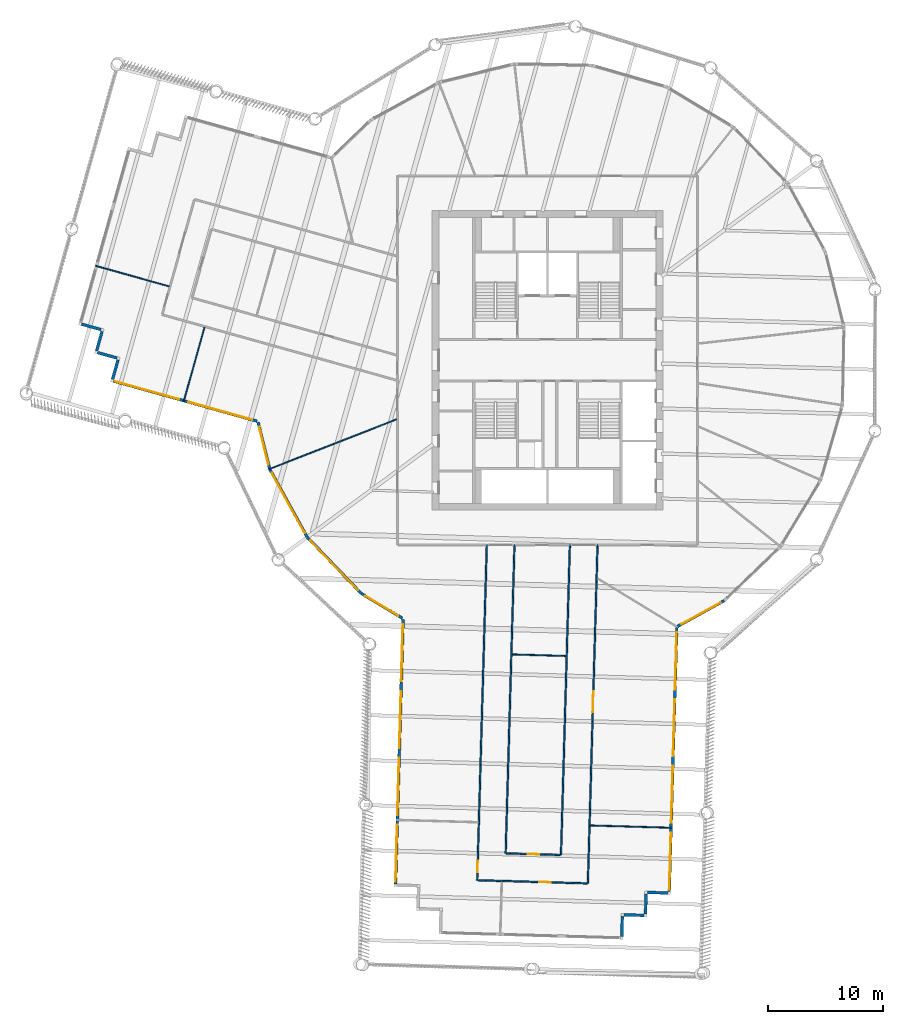
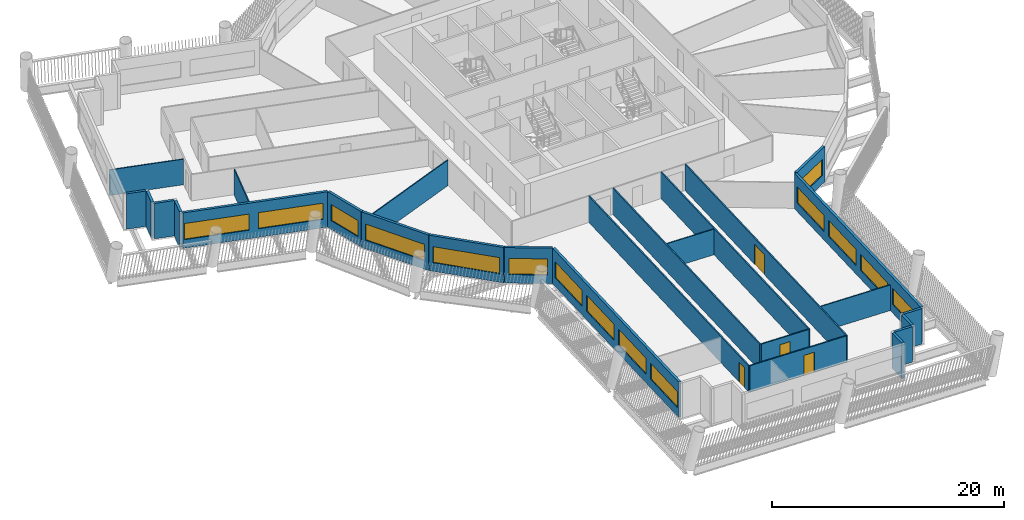
# One storey, part 3 of 15: 27 walls, 15 windows, 4 doors, 19 openings.
"""IFC4 building model written with IfcOpenShell, lengths in metres."""

from ifc_helpers import new_model, si_unit, direction, frame, frame_2d, origin, place, context, subcontext, project, spatial, rectangle, extrude, material, layer, layer_set, type_object, element, fill, save


model = new_model("IFC4")

# Units and contexts
model_context = context("Model", 3, precision=1e-05, world=origin(), true_north=direction((0.0, 1.0)))
body_context = subcontext(model_context, "Body", "Model", "MODEL_VIEW")
ifc_project = project(units=[si_unit("LENGTHUNIT", "METRE"), si_unit("AREAUNIT", "SQUARE_METRE"), si_unit("VOLUMEUNIT", "CUBIC_METRE"), si_unit("PLANEANGLEUNIT", "RADIAN"), si_unit("MASSUNIT", "GRAM", prefix="KILO")], contexts=[model_context])

# Site, building, storey
site_placement = place(None, origin())
site = spatial("IfcSite", under=ifc_project, at=site_placement, CompositionType="ELEMENT")
building_placement = place(site_placement, origin())
building = spatial("IfcBuilding", under=site, at=building_placement, Name="Tarsis Ring Headquarters", CompositionType="ELEMENT")
storey_placement = place(building_placement, frame((0.0, 0.0, 219.89990234375)))
storey = spatial("IfcBuildingStorey", under=building, at=storey_placement, Name="L51", CompositionType="ELEMENT", Elevation=219.89990234375)

# Walls
ifc_material_1 = material(Name="Gypsum board on steel studs", Category="steel")
ifc_layer_1 = layer(ifc_material_1, 0.10009765625)
ifc_layer_set_1 = layer_set([ifc_layer_1], Name="FL partition 100 unrated")
wall_type_1 = type_object("IfcWallType", Name="FL partition 100 unrated", PredefinedType="PARTITIONING", material=ifc_layer_set_1)
wall_1_placement = place(storey_placement, frame((-24.165283203125, -9.450927734375, 0.0), z_axis=(0.0, 0.0, 1.0), x_axis=(0.931303866641, 0.364243198948, 0.0)))
element("IfcWall", 1, at=wall_1_placement, inside=storey, type_object=wall_type_1, Name="Partition PW3", PredefinedType="PARTITIONING", context=body_context, shape_type="SweptSolid", body=[
    extrude(rectangle(XDim=11.90869140625, YDim=0.10009765625, at=frame_2d((5.954345703125, 0.0))), origin(), (0.0, 0.0, 1.0), 2.7001953125),
])
wall_2_placement = place(storey_placement, frame((3.71728515625, -40.3330078125, 0.0), z_axis=(0.0, 0.0, 1.0), x_axis=(0.999591298515, -0.028587338685, 0.0)))
element("IfcWall", 2, at=wall_2_placement, inside=storey, type_object=wall_type_1, Name="Partition PW3", PredefinedType="PARTITIONING", context=body_context, shape_type="SweptSolid", body=[
    extrude(rectangle(XDim=7.079833984375, YDim=0.10009765625, at=frame_2d((3.5400390625, 0.0))), origin(), (0.0, 0.0, 1.0), 2.7001953125),
])
wall_3_placement = place(storey_placement, frame((-31.542724609375, -3.578857421875, 0.0), z_axis=(0.0, 0.0, 1.0), x_axis=(0.269608268047, 0.962970083544, 0.0)))
element("IfcWall", 3, at=wall_3_placement, inside=storey, type_object=wall_type_1, Name="Partition PW3", PredefinedType="PARTITIONING", context=body_context, shape_type="SweptSolid", body=[
    extrude(rectangle(XDim=6.690185546875, YDim=0.10009765625, at=frame_2d((3.34521484375, 0.0))), origin(), (0.0, 0.0, 1.0), 2.7001953125),
])
wall_4_placement = place(storey_placement, frame((-39.190673828125, 8.19921875, 0.0), z_axis=(0.0, 0.0, 1.0), x_axis=(0.962968601832, -0.269613560278, 0.0)))
element("IfcWall", 4, at=wall_4_placement, inside=storey, type_object=wall_type_1, Name="Partition PW3", PredefinedType="PARTITIONING", context=body_context, shape_type="SweptSolid", body=[
    extrude(rectangle(XDim=6.64013671875, YDim=0.10009765625, at=frame_2d((3.320068359375, 0.0))), origin(), (0.0, 0.0, 1.0), 2.7001953125),
])
wall_5_placement = place(storey_placement, frame((-3.06103515625, -25.502685546875, 0.0), z_axis=(0.0, 0.0, 1.0), x_axis=(0.99958926113, -0.028658489745, 0.0)))
element("IfcWall", 5, at=wall_5_placement, inside=storey, type_object=wall_type_1, Name="Partition PW3", PredefinedType="PARTITIONING", context=body_context, shape_type="SweptSolid", body=[
    extrude(rectangle(XDim=4.659912109375, YDim=0.10009765625, at=frame_2d((2.330078125, 0.0))), origin(), (0.0, 0.0, 1.0), 2.7001953125),
])

# Wall, opening, door
ifc_layer_2 = layer(ifc_material_1, 0.125)
ifc_layer_set_2 = layer_set([ifc_layer_2], Name="FL partition 125 EI 60 H2770")
wall_type_2 = type_object("IfcWallType", Name="FL partition 125 EI 60 H2770", PredefinedType="PARTITIONING", material=ifc_layer_set_2)
wall_6_placement = place(storey_placement, frame((3.50341796875, -45.35888671875, 0.0), z_axis=(0.0, 0.0, 1.0), x_axis=(0.028619336474, 0.999590382897, 0.0)))
wall_6 = element("IfcWall", 6, at=wall_6_placement, inside=storey, type_object=wall_type_2, Name="Partition PW1", PredefinedType="PARTITIONING", context=body_context, shape_type="SweptSolid", body=[
    extrude(rectangle(XDim=29.370849609375, YDim=0.125, at=frame_2d((14.685546875, 0.0))), origin(), (0.0, 0.0, 1.0), 2.77001953125),
])
opening_1_placement = place(wall_6_placement, frame((14.8671875, 0.0, 0.0)))
opening_1 = element("IfcOpeningElement", 7, at=opening_1_placement, cuts=wall_6, Name="Opening D51.11", PredefinedType="OPENING", context=body_context, shape_type="SweptSolid", body=[
    extrude(rectangle(XDim=1.800048828125, YDim=2.10009765625, at=frame_2d((0.89990234375, 1.050048828125))), frame((0.0, 0.072509765625, 0.0), z_axis=(0.0, -1.0, 0.0), x_axis=(1.0, 0.0, 0.0)), (0.0, 0.0, 1.0), 0.14501953125),
])
ifc_material_2 = material(Name="Fire-rated timber door leaf in steel frame", Category="steel")
door_type_1 = type_object("IfcDoorType", Name="FL door FD60-1800", OperationType="DOUBLE_DOOR_SINGLE_SWING", PredefinedType="DOOR", material=ifc_material_2)
door_1_placement = place(opening_1_placement, origin())
door_1 = element("IfcDoor", 8, at=door_1_placement, inside=storey, type_object=door_type_1, Name="Door D51.11", OperationType="DOUBLE_DOOR_SINGLE_SWING", OverallHeight=2.10009765625, OverallWidth=1.800048828125, PredefinedType="DOOR", context=body_context, shape_type="SweptSolid", body=[
    extrude(rectangle(XDim=1.800048828125, YDim=2.10009765625, at=frame_2d((0.89990234375, 1.050048828125))), frame((0.0, 0.02490234375, 0.0), z_axis=(0.0, -1.0, 0.0), x_axis=(1.0, 0.0, 0.0)), (0.0, 0.0, 1.0), 0.050048828125),
])
fill(opening_1, door_1)

wall_7_placement = place(storey_placement, frame((-6.0927734375, -45.083984375, 0.0), z_axis=(0.0, 0.0, 1.0), x_axis=(0.028621336719, 0.999590325626, 0.0)))
wall_7 = element("IfcWall", 9, at=wall_7_placement, inside=storey, type_object=wall_type_2, Name="Partition PW1", PredefinedType="PARTITIONING", context=body_context, shape_type="SweptSolid", body=[
    extrude(rectangle(XDim=29.095947265625, YDim=0.125, at=frame_2d((14.5478515625, 0.0))), origin(), (0.0, 0.0, 1.0), 2.77001953125),
])
opening_2_placement = place(wall_7_placement, frame((0.699951171875, 0.0, 0.0)))
opening_2 = element("IfcOpeningElement", 10, at=opening_2_placement, cuts=wall_7, Name="Opening D51.13", PredefinedType="OPENING", context=body_context, shape_type="SweptSolid", body=[
    extrude(rectangle(XDim=1.0, YDim=2.10009765625, at=frame_2d((0.5, 1.050048828125))), frame((0.0, 0.072509765625, 0.0), z_axis=(0.0, -1.0, 0.0), x_axis=(1.0, 0.0, 0.0)), (0.0, 0.0, 1.0), 0.14501953125),
])
door_type_2 = type_object("IfcDoorType", Name="FL door FD60-1000", OperationType="NOTDEFINED", PredefinedType="DOOR", material=ifc_material_2)
door_2_placement = place(opening_2_placement, origin())
door_2 = element("IfcDoor", 11, at=door_2_placement, inside=storey, type_object=door_type_2, Name="Door D51.13", OperationType="SINGLE_SWING_RIGHT", OverallHeight=2.10009765625, OverallWidth=1.0, PredefinedType="DOOR", context=body_context, shape_type="SweptSolid", body=[
    extrude(rectangle(XDim=1.0, YDim=2.10009765625, at=frame_2d((0.5, 1.050048828125))), frame((0.0, 0.02490234375, 0.0), z_axis=(0.0, -1.0, 0.0), x_axis=(1.0, 0.0, 0.0)), (0.0, 0.0, 1.0), 0.050048828125),
])
fill(opening_2, door_2)

# Walls
wall_8_placement = place(storey_placement, frame((1.173095703125, -42.89111328125, 0.0), z_axis=(0.0, 0.0, 1.0), x_axis=(0.028613921214, 0.999590537927, 0.0)))
element("IfcWall", 12, at=wall_8_placement, inside=storey, type_object=wall_type_2, Name="Partition PW1", PredefinedType="PARTITIONING", context=body_context, shape_type="SweptSolid", body=[
    extrude(rectangle(XDim=26.902099609375, YDim=0.125, at=frame_2d((13.451171875, 0.0))), origin(), (0.0, 0.0, 1.0), 2.77001953125),
])
wall_9_placement = place(storey_placement, frame((-3.625, -42.75390625, 0.0), z_axis=(0.0, 0.0, 1.0), x_axis=(0.02861471972, 0.999590515069, 0.0)))
element("IfcWall", 13, at=wall_9_placement, inside=storey, type_object=wall_type_2, Name="Partition PW1", PredefinedType="PARTITIONING", context=body_context, shape_type="SweptSolid", body=[
    extrude(rectangle(XDim=26.764892578125, YDim=0.125, at=frame_2d((13.38232421875, 0.0))), origin(), (0.0, 0.0, 1.0), 2.77001953125),
])

# Wall, opening, door
wall_10_placement = place(storey_placement, frame((-6.03271484375, -45.085693359375, 0.0), z_axis=(0.0, 0.0, 1.0), x_axis=(0.999589856789, -0.028637706002, 0.0)))
wall_10 = element("IfcWall", 14, at=wall_10_placement, inside=storey, type_object=wall_type_2, Name="Partition PW1", PredefinedType="PARTITIONING", context=body_context, shape_type="SweptSolid", body=[
    extrude(rectangle(XDim=9.47998046875, YDim=0.125, at=frame_2d((4.739990234375, 0.0))), origin(), (0.0, 0.0, 1.0), 2.77001953125),
])
opening_3_placement = place(wall_10_placement, frame((5.306640625, 0.0, 0.0)))
opening_3 = element("IfcOpeningElement", 15, at=opening_3_placement, cuts=wall_10, Name="Opening D51.12", PredefinedType="OPENING", context=body_context, shape_type="SweptSolid", body=[
    extrude(rectangle(XDim=1.0, YDim=2.10009765625, at=frame_2d((0.5, 1.050048828125))), frame((0.0, 0.072509765625, 0.0), z_axis=(0.0, -1.0, 0.0), x_axis=(1.0, 0.0, 0.0)), (0.0, 0.0, 1.0), 0.14501953125),
])
door_3_placement = place(opening_3_placement, origin())
door_3 = element("IfcDoor", 16, at=door_3_placement, inside=storey, type_object=door_type_2, Name="Door D51.12", OperationType="SINGLE_SWING_LEFT", OverallHeight=2.10009765625, OverallWidth=1.0, PredefinedType="DOOR", context=body_context, shape_type="SweptSolid", body=[
    extrude(rectangle(XDim=1.0, YDim=2.10009765625, at=frame_2d((0.5, 1.050048828125))), frame((0.0, 0.02490234375, 0.0), z_axis=(0.0, -1.0, 0.0), x_axis=(1.0, 0.0, 0.0)), (0.0, 0.0, 1.0), 0.050048828125),
])
fill(opening_3, door_3)

wall_11_placement = place(storey_placement, frame((-3.565185546875, -42.755615234375, 0.0), z_axis=(0.0, 0.0, 1.0), x_axis=(0.999591320216, -0.02858657987, 0.0)))
wall_11 = element("IfcWall", 17, at=wall_11_placement, inside=storey, type_object=wall_type_2, Name="Partition PW1", PredefinedType="PARTITIONING", context=body_context, shape_type="SweptSolid", body=[
    extrude(rectangle(XDim=4.68017578125, YDim=0.125, at=frame_2d((2.340087890625, 0.0))), origin(), (0.0, 0.0, 1.0), 2.77001953125),
])
opening_4_placement = place(wall_11_placement, frame((1.840087890625, 0.0, 0.0)))
opening_4 = element("IfcOpeningElement", 18, at=opening_4_placement, cuts=wall_11, Name="Opening D51.19", PredefinedType="OPENING", context=body_context, shape_type="SweptSolid", body=[
    extrude(rectangle(XDim=1.0, YDim=2.10009765625, at=frame_2d((0.5, 1.050048828125))), frame((0.0, 0.072509765625, 0.0), z_axis=(0.0, -1.0, 0.0), x_axis=(1.0, 0.0, 0.0)), (0.0, 0.0, 1.0), 0.14501953125),
])
door_4_placement = place(opening_4_placement, origin())
door_4 = element("IfcDoor", 19, at=door_4_placement, inside=storey, type_object=door_type_2, Name="Door D51.19", OperationType="SINGLE_SWING_RIGHT", OverallHeight=2.10009765625, OverallWidth=1.0, PredefinedType="DOOR", context=body_context, shape_type="SweptSolid", body=[
    extrude(rectangle(XDim=1.0, YDim=2.10009765625, at=frame_2d((0.5, 1.050048828125))), frame((0.0, 0.02490234375, 0.0), z_axis=(0.0, -1.0, 0.0), x_axis=(1.0, 0.0, 0.0)), (0.0, 0.0, 1.0), 0.050048828125),
])
fill(opening_4, door_4)

# Wall, openings, windows
ifc_material_3 = material(Name="Terracotta clad insulated panel wall", Category="masonry")
ifc_layer_3 = layer(ifc_material_3, 0.25)
ifc_layer_set_3 = layer_set([ifc_layer_3], Name="Facade wall terracotta panel 250")
wall_type_3 = type_object("IfcWallType", Name="Facade wall terracotta panel 250", PredefinedType="STANDARD", material=ifc_layer_set_3)
wall_12_placement = place(storey_placement, frame((-37.627685546875, -1.79736328125, 0.0), z_axis=(0.0, 0.0, 1.0), x_axis=(0.96297539972, -0.269589279338, 0.0)))
wall_12 = element("IfcWall", 20, at=wall_12_placement, inside=storey, type_object=wall_type_3, Name="External wall L51-01", PredefinedType="STANDARD", context=body_context, shape_type="SweptSolid", body=[
    extrude(rectangle(XDim=12.922119140625, YDim=0.25, at=frame_2d((6.4609375, 0.0))), origin(), (0.0, 0.0, 1.0), 3.739990234375),
])
opening_5_placement = place(wall_12_placement, frame((0.16796875, 0.0, 0.89990234375)))
opening_5 = element("IfcOpeningElement", 21, at=opening_5_placement, cuts=wall_12, Name="Opening WN06", PredefinedType="OPENING", context=body_context, shape_type="SweptSolid", body=[
    extrude(rectangle(XDim=5.75, YDim=1.699951171875, at=frame_2d((2.875, 0.85009765625))), frame((0.0, 0.135009765625, 0.0), z_axis=(0.0, -1.0, 0.0), x_axis=(1.0, 0.0, 0.0)), (0.0, 0.0, 1.0), 0.27001953125),
])
opening_6_placement = place(wall_12_placement, frame((6.75390625, 0.0, 0.89990234375)))
opening_6 = element("IfcOpeningElement", 22, at=opening_6_placement, cuts=wall_12, Name="Opening WN06", PredefinedType="OPENING", context=body_context, shape_type="SweptSolid", body=[
    extrude(rectangle(XDim=5.75, YDim=1.699951171875, at=frame_2d((2.875, 0.85009765625))), frame((0.0, 0.135009765625, 0.0), z_axis=(0.0, -1.0, 0.0), x_axis=(1.0, 0.0, 0.0)), (0.0, 0.0, 1.0), 0.27001953125),
])
ifc_material_4 = material(Name="Aluminium framed double glazing", Category="aluminium")
window_type_1 = type_object("IfcWindowType", Name="Facade window 5750 x 1700", PartitioningType="SINGLE_PANEL", PredefinedType="WINDOW", material=ifc_material_4)
window_1_placement = place(opening_5_placement, origin())
window_1 = element("IfcWindow", 23, at=window_1_placement, inside=storey, type_object=window_type_1, Name="Window L51-01.1", OverallHeight=1.699951171875, OverallWidth=5.75, PartitioningType="SINGLE_PANEL", PredefinedType="WINDOW", context=body_context, shape_type="SweptSolid", body=[
    extrude(rectangle(XDim=5.75, YDim=1.699951171875, at=frame_2d((2.875, 0.85009765625))), frame((0.0, 0.030029296875, 0.0), z_axis=(0.0, -1.0, 0.0), x_axis=(1.0, 0.0, 0.0)), (0.0, 0.0, 1.0), 0.06005859375),
])
fill(opening_5, window_1)
window_2_placement = place(opening_6_placement, origin())
window_2 = element("IfcWindow", 24, at=window_2_placement, inside=storey, type_object=window_type_1, Name="Window L51-01.2", OverallHeight=1.699951171875, OverallWidth=5.75, PartitioningType="SINGLE_PANEL", PredefinedType="WINDOW", context=body_context, shape_type="SweptSolid", body=[
    extrude(rectangle(XDim=5.75, YDim=1.699951171875, at=frame_2d((2.875, 0.85009765625))), frame((0.0, 0.030029296875, 0.0), z_axis=(0.0, -1.0, 0.0), x_axis=(1.0, 0.0, 0.0)), (0.0, 0.0, 1.0), 0.06005859375),
])
fill(opening_6, window_2)

# Wall, opening, window
wall_13_placement = place(storey_placement, frame((-25.096435546875, -5.37158203125, 0.0), z_axis=(0.0, 0.0, 1.0), x_axis=(0.239536077271, -0.970887463966, 0.0)))
wall_13 = element("IfcWall", 25, at=wall_13_placement, inside=storey, type_object=wall_type_3, Name="External wall L51-02", PredefinedType="STANDARD", context=body_context, shape_type="SweptSolid", body=[
    extrude(rectangle(XDim=4.157470703125, YDim=0.25, at=frame_2d((2.07861328125, 0.0))), origin(), (0.0, 0.0, 1.0), 3.739990234375),
])
opening_7_placement = place(wall_13_placement, frame((0.420166015625, 0.0, 0.89990234375)))
opening_7 = element("IfcOpeningElement", 26, at=opening_7_placement, cuts=wall_13, Name="Opening WN01", PredefinedType="OPENING", context=body_context, shape_type="SweptSolid", body=[
    extrude(rectangle(XDim=3.35009765625, YDim=1.699951171875, at=frame_2d((1.675048828125, 0.85009765625))), frame((0.0, 0.135009765625, 0.0), z_axis=(0.0, -1.0, 0.0), x_axis=(1.0, 0.0, 0.0)), (0.0, 0.0, 1.0), 0.27001953125),
])
window_type_2 = type_object("IfcWindowType", Name="Facade window 3350 x 1700", PartitioningType="SINGLE_PANEL", PredefinedType="WINDOW", material=ifc_material_4)
window_3_placement = place(opening_7_placement, origin())
window_3 = element("IfcWindow", 27, at=window_3_placement, inside=storey, type_object=window_type_2, Name="Window L51-02.1", OverallHeight=1.699951171875, OverallWidth=3.35009765625, PartitioningType="SINGLE_PANEL", PredefinedType="WINDOW", context=body_context, shape_type="SweptSolid", body=[
    extrude(rectangle(XDim=3.35009765625, YDim=1.699951171875, at=frame_2d((1.675048828125, 0.85009765625))), frame((0.0, 0.030029296875, 0.0), z_axis=(0.0, -1.0, 0.0), x_axis=(1.0, 0.0, 0.0)), (0.0, 0.0, 1.0), 0.06005859375),
])
fill(opening_7, window_3)

wall_14_placement = place(storey_placement, frame((-24.088623046875, -9.4384765625, 0.0), z_axis=(0.0, 0.0, 1.0), x_axis=(0.482654792182, -0.875810682502, 0.0)))
wall_14 = element("IfcWall", 28, at=wall_14_placement, inside=storey, type_object=wall_type_3, Name="External wall L51-03", PredefinedType="STANDARD", context=body_context, shape_type="SweptSolid", body=[
    extrude(rectangle(XDim=6.721435546875, YDim=0.25, at=frame_2d((3.36083984375, 0.0))), origin(), (0.0, 0.0, 1.0), 3.739990234375),
])
opening_8_placement = place(wall_14_placement, frame((0.3857421875, 0.0, 0.89990234375)))
opening_8 = element("IfcOpeningElement", 29, at=opening_8_placement, cuts=wall_14, Name="Opening WN07", PredefinedType="OPENING", context=body_context, shape_type="SweptSolid", body=[
    extrude(rectangle(XDim=5.949951171875, YDim=1.699951171875, at=frame_2d((2.97509765625, 0.85009765625))), frame((0.0, 0.135009765625, 0.0), z_axis=(0.0, -1.0, 0.0), x_axis=(1.0, 0.0, 0.0)), (0.0, 0.0, 1.0), 0.27001953125),
])
window_type_3 = type_object("IfcWindowType", Name="Facade window 5950 x 1700", PartitioningType="SINGLE_PANEL", PredefinedType="WINDOW", material=ifc_material_4)
window_4_placement = place(opening_8_placement, origin())
window_4 = element("IfcWindow", 30, at=window_4_placement, inside=storey, type_object=window_type_3, Name="Window L51-03.1", OverallHeight=1.699951171875, OverallWidth=5.949951171875, PartitioningType="SINGLE_PANEL", PredefinedType="WINDOW", context=body_context, shape_type="SweptSolid", body=[
    extrude(rectangle(XDim=5.949951171875, YDim=1.699951171875, at=frame_2d((2.97509765625, 0.85009765625))), frame((0.0, 0.030029296875, 0.0), z_axis=(0.0, -1.0, 0.0), x_axis=(1.0, 0.0, 0.0)), (0.0, 0.0, 1.0), 0.06005859375),
])
fill(opening_8, window_4)

wall_15_placement = place(storey_placement, frame((-20.824951171875, -15.351318359375, 0.0), z_axis=(0.0, 0.0, 1.0), x_axis=(0.6928916421, -0.721041727161, 0.0)))
wall_15 = element("IfcWall", 31, at=wall_15_placement, inside=storey, type_object=wall_type_3, Name="External wall L51-04", PredefinedType="STANDARD", context=body_context, shape_type="SweptSolid", body=[
    extrude(rectangle(XDim=6.721435546875, YDim=0.25, at=frame_2d((3.36083984375, 0.0))), origin(), (0.0, 0.0, 1.0), 3.739990234375),
])
opening_9_placement = place(wall_15_placement, frame((0.3857421875, 0.0, 0.89990234375)))
opening_9 = element("IfcOpeningElement", 32, at=opening_9_placement, cuts=wall_15, Name="Opening WN07", PredefinedType="OPENING", context=body_context, shape_type="SweptSolid", body=[
    extrude(rectangle(XDim=5.949951171875, YDim=1.699951171875, at=frame_2d((2.97509765625, 0.85009765625))), frame((0.0, 0.135009765625, 0.0), z_axis=(0.0, -1.0, 0.0), x_axis=(1.0, 0.0, 0.0)), (0.0, 0.0, 1.0), 0.27001953125),
])
window_5_placement = place(opening_9_placement, origin())
window_5 = element("IfcWindow", 33, at=window_5_placement, inside=storey, type_object=window_type_3, Name="Window L51-04.1", OverallHeight=1.699951171875, OverallWidth=5.949951171875, PartitioningType="SINGLE_PANEL", PredefinedType="WINDOW", context=body_context, shape_type="SweptSolid", body=[
    extrude(rectangle(XDim=5.949951171875, YDim=1.699951171875, at=frame_2d((2.97509765625, 0.85009765625))), frame((0.0, 0.030029296875, 0.0), z_axis=(0.0, -1.0, 0.0), x_axis=(1.0, 0.0, 0.0)), (0.0, 0.0, 1.0), 0.06005859375),
])
fill(opening_9, window_5)

wall_16_placement = place(storey_placement, frame((-16.142333984375, -20.21826171875, 0.0), z_axis=(0.0, 0.0, 1.0), x_axis=(0.855924205344, -0.517101300237, 0.0)))
wall_16 = element("IfcWall", 34, at=wall_16_placement, inside=storey, type_object=wall_type_3, Name="External wall L51-05", PredefinedType="STANDARD", context=body_context, shape_type="SweptSolid", body=[
    extrude(rectangle(XDim=4.15771484375, YDim=0.25, at=frame_2d((2.078857421875, 0.0))), origin(), (0.0, 0.0, 1.0), 3.739990234375),
])
opening_10_placement = place(wall_16_placement, frame((0.38720703125, 0.0, 0.89990234375)))
opening_10 = element("IfcOpeningElement", 35, at=opening_10_placement, cuts=wall_16, Name="Opening WN01", PredefinedType="OPENING", context=body_context, shape_type="SweptSolid", body=[
    extrude(rectangle(XDim=3.35009765625, YDim=1.699951171875, at=frame_2d((1.675048828125, 0.85009765625))), frame((0.0, 0.135009765625, 0.0), z_axis=(0.0, -1.0, 0.0), x_axis=(1.0, 0.0, 0.0)), (0.0, 0.0, 1.0), 0.27001953125),
])
window_6_placement = place(opening_10_placement, origin())
window_6 = element("IfcWindow", 36, at=window_6_placement, inside=storey, type_object=window_type_2, Name="Window L51-05.1", OverallHeight=1.699951171875, OverallWidth=3.35009765625, PartitioningType="SINGLE_PANEL", PredefinedType="WINDOW", context=body_context, shape_type="SweptSolid", body=[
    extrude(rectangle(XDim=3.35009765625, YDim=1.699951171875, at=frame_2d((1.675048828125, 0.85009765625))), frame((0.0, 0.030029296875, 0.0), z_axis=(0.0, -1.0, 0.0), x_axis=(1.0, 0.0, 0.0)), (0.0, 0.0, 1.0), 0.06005859375),
])
fill(opening_10, window_6)

# Wall, openings, windows
wall_17_placement = place(storey_placement, frame((-12.5234375, -22.478759765625, 0.0), z_axis=(0.0, 0.0, 1.0), x_axis=(-0.028619066379, -0.99959039063, 0.0)))
wall_17 = element("IfcWall", 37, at=wall_17_placement, inside=storey, type_object=wall_type_3, Name="External wall L51-06", PredefinedType="STANDARD", context=body_context, shape_type="SweptSolid", body=[
    extrude(rectangle(XDim=22.921875, YDim=0.25, at=frame_2d((11.4609375, 0.0))), origin(), (0.0, 0.0, 1.0), 3.739990234375),
])
opening_11_placement = place(wall_17_placement, frame((0.42138671875, 0.0, 0.89990234375)))
opening_11 = element("IfcOpeningElement", 38, at=opening_11_placement, cuts=wall_17, Name="Opening WN05", PredefinedType="OPENING", context=body_context, shape_type="SweptSolid", body=[
    extrude(rectangle(XDim=4.949951171875, YDim=1.699951171875, at=frame_2d((2.47509765625, 0.85009765625))), frame((0.0, 0.135009765625, 0.0), z_axis=(0.0, -1.0, 0.0), x_axis=(1.0, 0.0, 0.0)), (0.0, 0.0, 1.0), 0.27001953125),
])
opening_12_placement = place(wall_17_placement, frame((6.214599609375, 0.0, 0.89990234375)))
opening_12 = element("IfcOpeningElement", 39, at=opening_12_placement, cuts=wall_17, Name="Opening WN05", PredefinedType="OPENING", context=body_context, shape_type="SweptSolid", body=[
    extrude(rectangle(XDim=4.949951171875, YDim=1.699951171875, at=frame_2d((2.47509765625, 0.85009765625))), frame((0.0, 0.135009765625, 0.0), z_axis=(0.0, -1.0, 0.0), x_axis=(1.0, 0.0, 0.0)), (0.0, 0.0, 1.0), 0.27001953125),
])
opening_13_placement = place(wall_17_placement, frame((12.007568359375, 0.0, 0.89990234375)))
opening_13 = element("IfcOpeningElement", 40, at=opening_13_placement, cuts=wall_17, Name="Opening WN05", PredefinedType="OPENING", context=body_context, shape_type="SweptSolid", body=[
    extrude(rectangle(XDim=4.949951171875, YDim=1.699951171875, at=frame_2d((2.47509765625, 0.85009765625))), frame((0.0, 0.135009765625, 0.0), z_axis=(0.0, -1.0, 0.0), x_axis=(1.0, 0.0, 0.0)), (0.0, 0.0, 1.0), 0.27001953125),
])
opening_14_placement = place(wall_17_placement, frame((17.800537109375, 0.0, 0.89990234375)))
opening_14 = element("IfcOpeningElement", 41, at=opening_14_placement, cuts=wall_17, Name="Opening WN05", PredefinedType="OPENING", context=body_context, shape_type="SweptSolid", body=[
    extrude(rectangle(XDim=4.949951171875, YDim=1.699951171875, at=frame_2d((2.47509765625, 0.85009765625))), frame((0.0, 0.135009765625, 0.0), z_axis=(0.0, -1.0, 0.0), x_axis=(1.0, 0.0, 0.0)), (0.0, 0.0, 1.0), 0.27001953125),
])
window_type_4 = type_object("IfcWindowType", Name="Facade window 4950 x 1700", PartitioningType="SINGLE_PANEL", PredefinedType="WINDOW", material=ifc_material_4)
window_7_placement = place(opening_11_placement, origin())
window_7 = element("IfcWindow", 42, at=window_7_placement, inside=storey, type_object=window_type_4, Name="Window L51-06.1", OverallHeight=1.699951171875, OverallWidth=4.949951171875, PartitioningType="SINGLE_PANEL", PredefinedType="WINDOW", context=body_context, shape_type="SweptSolid", body=[
    extrude(rectangle(XDim=4.949951171875, YDim=1.699951171875, at=frame_2d((2.47509765625, 0.85009765625))), frame((0.0, 0.030029296875, 0.0), z_axis=(0.0, -1.0, 0.0), x_axis=(1.0, 0.0, 0.0)), (0.0, 0.0, 1.0), 0.06005859375),
])
fill(opening_11, window_7)
window_8_placement = place(opening_12_placement, origin())
window_8 = element("IfcWindow", 43, at=window_8_placement, inside=storey, type_object=window_type_4, Name="Window L51-06.2", OverallHeight=1.699951171875, OverallWidth=4.949951171875, PartitioningType="SINGLE_PANEL", PredefinedType="WINDOW", context=body_context, shape_type="SweptSolid", body=[
    extrude(rectangle(XDim=4.949951171875, YDim=1.699951171875, at=frame_2d((2.47509765625, 0.85009765625))), frame((0.0, 0.030029296875, 0.0), z_axis=(0.0, -1.0, 0.0), x_axis=(1.0, 0.0, 0.0)), (0.0, 0.0, 1.0), 0.06005859375),
])
fill(opening_12, window_8)
window_9_placement = place(opening_13_placement, origin())
window_9 = element("IfcWindow", 44, at=window_9_placement, inside=storey, type_object=window_type_4, Name="Window L51-06.3", OverallHeight=1.699951171875, OverallWidth=4.949951171875, PartitioningType="SINGLE_PANEL", PredefinedType="WINDOW", context=body_context, shape_type="SweptSolid", body=[
    extrude(rectangle(XDim=4.949951171875, YDim=1.699951171875, at=frame_2d((2.47509765625, 0.85009765625))), frame((0.0, 0.030029296875, 0.0), z_axis=(0.0, -1.0, 0.0), x_axis=(1.0, 0.0, 0.0)), (0.0, 0.0, 1.0), 0.06005859375),
])
fill(opening_13, window_9)
window_10_placement = place(opening_14_placement, origin())
window_10 = element("IfcWindow", 45, at=window_10_placement, inside=storey, type_object=window_type_4, Name="Window L51-06.4", OverallHeight=1.699951171875, OverallWidth=4.949951171875, PartitioningType="SINGLE_PANEL", PredefinedType="WINDOW", context=body_context, shape_type="SweptSolid", body=[
    extrude(rectangle(XDim=4.949951171875, YDim=1.699951171875, at=frame_2d((2.47509765625, 0.85009765625))), frame((0.0, 0.030029296875, 0.0), z_axis=(0.0, -1.0, 0.0), x_axis=(1.0, 0.0, 0.0)), (0.0, 0.0, 1.0), 0.06005859375),
])
fill(opening_14, window_10)

# Walls
for number, where, z_axis, x_axis, name in (
    (46, (6.447998046875, -49.955078125, 0.0), (0.0, 0.0, 1.0), (0.028599601436, 0.999590947737, 0.0), "External wall L51-12"),
    (47, (6.62646484375, -48.084228515625, 0.0), (0.0, 0.0, 1.0), (0.999586949728, -0.02873899674, 0.0), "External wall L51-13"),
    (48, (8.50439453125, -48.012939453125, 0.0), (0.0, 0.0, 1.0), (0.028599601436, 0.999590947737, 0.0), "External wall L51-14"),
    (49, (8.68310546875, -46.142333984375, 0.0), (0.0, 0.0, 1.0), (0.999590947737, -0.028599601436, 0.0), "External wall L51-15"),
):
    element("IfcWall", number, at=place(storey_placement, frame(where, z_axis=z_axis, x_axis=x_axis)), inside=storey, type_object=wall_type_3, Name=name, PredefinedType="STANDARD", context=body_context, shape_type="SweptSolid", body=[
        extrude(rectangle(XDim=1.75, YDim=0.25, at=frame_2d((0.875, 0.0))), origin(), (0.0, 0.0, 1.0), 3.739990234375),
    ])

# Wall, openings, windows
wall_18_placement = place(storey_placement, frame((10.560791015625, -46.071044921875, 0.0), z_axis=(0.0, 0.0, 1.0), x_axis=(0.02862368521, 0.999590258378, 0.0)))
wall_18 = element("IfcWall", 50, at=wall_18_placement, inside=storey, type_object=wall_type_3, Name="External wall L51-16", PredefinedType="STANDARD", context=body_context, shape_type="SweptSolid", body=[
    extrude(rectangle(XDim=22.901123046875, YDim=0.25, at=frame_2d((11.45068359375, 0.0))), origin(), (0.0, 0.0, 1.0), 3.739990234375),
])
opening_15_placement = place(wall_18_placement, frame((0.1689453125, 0.0, 0.89990234375)))
opening_15 = element("IfcOpeningElement", 51, at=opening_15_placement, cuts=wall_18, Name="Opening WN05", PredefinedType="OPENING", context=body_context, shape_type="SweptSolid", body=[
    extrude(rectangle(XDim=4.949951171875, YDim=1.699951171875, at=frame_2d((2.47509765625, 0.85009765625))), frame((0.0, 0.135009765625, 0.0), z_axis=(0.0, -1.0, 0.0), x_axis=(1.0, 0.0, 0.0)), (0.0, 0.0, 1.0), 0.27001953125),
])
opening_16_placement = place(wall_18_placement, frame((5.956787109375, 0.0, 0.89990234375)))
opening_16 = element("IfcOpeningElement", 52, at=opening_16_placement, cuts=wall_18, Name="Opening WN05", PredefinedType="OPENING", context=body_context, shape_type="SweptSolid", body=[
    extrude(rectangle(XDim=4.949951171875, YDim=1.699951171875, at=frame_2d((2.47509765625, 0.85009765625))), frame((0.0, 0.135009765625, 0.0), z_axis=(0.0, -1.0, 0.0), x_axis=(1.0, 0.0, 0.0)), (0.0, 0.0, 1.0), 0.27001953125),
])
opening_17_placement = place(wall_18_placement, frame((11.74462890625, 0.0, 0.89990234375)))
opening_17 = element("IfcOpeningElement", 53, at=opening_17_placement, cuts=wall_18, Name="Opening WN05", PredefinedType="OPENING", context=body_context, shape_type="SweptSolid", body=[
    extrude(rectangle(XDim=4.949951171875, YDim=1.699951171875, at=frame_2d((2.47509765625, 0.85009765625))), frame((0.0, 0.135009765625, 0.0), z_axis=(0.0, -1.0, 0.0), x_axis=(1.0, 0.0, 0.0)), (0.0, 0.0, 1.0), 0.27001953125),
])
opening_18_placement = place(wall_18_placement, frame((17.532470703125, 0.0, 0.89990234375)))
opening_18 = element("IfcOpeningElement", 54, at=opening_18_placement, cuts=wall_18, Name="Opening WN05", PredefinedType="OPENING", context=body_context, shape_type="SweptSolid", body=[
    extrude(rectangle(XDim=4.949951171875, YDim=1.699951171875, at=frame_2d((2.47509765625, 0.85009765625))), frame((0.0, 0.135009765625, 0.0), z_axis=(0.0, -1.0, 0.0), x_axis=(1.0, 0.0, 0.0)), (0.0, 0.0, 1.0), 0.27001953125),
])
window_11_placement = place(opening_15_placement, origin())
window_11 = element("IfcWindow", 55, at=window_11_placement, inside=storey, type_object=window_type_4, Name="Window L51-16.1", OverallHeight=1.699951171875, OverallWidth=4.949951171875, PartitioningType="SINGLE_PANEL", PredefinedType="WINDOW", context=body_context, shape_type="SweptSolid", body=[
    extrude(rectangle(XDim=4.949951171875, YDim=1.699951171875, at=frame_2d((2.47509765625, 0.85009765625))), frame((0.0, 0.030029296875, 0.0), z_axis=(0.0, -1.0, 0.0), x_axis=(1.0, 0.0, 0.0)), (0.0, 0.0, 1.0), 0.06005859375),
])
fill(opening_15, window_11)
window_12_placement = place(opening_16_placement, origin())
window_12 = element("IfcWindow", 56, at=window_12_placement, inside=storey, type_object=window_type_4, Name="Window L51-16.2", OverallHeight=1.699951171875, OverallWidth=4.949951171875, PartitioningType="SINGLE_PANEL", PredefinedType="WINDOW", context=body_context, shape_type="SweptSolid", body=[
    extrude(rectangle(XDim=4.949951171875, YDim=1.699951171875, at=frame_2d((2.47509765625, 0.85009765625))), frame((0.0, 0.030029296875, 0.0), z_axis=(0.0, -1.0, 0.0), x_axis=(1.0, 0.0, 0.0)), (0.0, 0.0, 1.0), 0.06005859375),
])
fill(opening_16, window_12)
window_13_placement = place(opening_17_placement, origin())
window_13 = element("IfcWindow", 57, at=window_13_placement, inside=storey, type_object=window_type_4, Name="Window L51-16.3", OverallHeight=1.699951171875, OverallWidth=4.949951171875, PartitioningType="SINGLE_PANEL", PredefinedType="WINDOW", context=body_context, shape_type="SweptSolid", body=[
    extrude(rectangle(XDim=4.949951171875, YDim=1.699951171875, at=frame_2d((2.47509765625, 0.85009765625))), frame((0.0, 0.030029296875, 0.0), z_axis=(0.0, -1.0, 0.0), x_axis=(1.0, 0.0, 0.0)), (0.0, 0.0, 1.0), 0.06005859375),
])
fill(opening_17, window_13)
window_14_placement = place(opening_18_placement, origin())
window_14 = element("IfcWindow", 58, at=window_14_placement, inside=storey, type_object=window_type_4, Name="Window L51-16.4", OverallHeight=1.699951171875, OverallWidth=4.949951171875, PartitioningType="SINGLE_PANEL", PredefinedType="WINDOW", context=body_context, shape_type="SweptSolid", body=[
    extrude(rectangle(XDim=4.949951171875, YDim=1.699951171875, at=frame_2d((2.47509765625, 0.85009765625))), frame((0.0, 0.030029296875, 0.0), z_axis=(0.0, -1.0, 0.0), x_axis=(1.0, 0.0, 0.0)), (0.0, 0.0, 1.0), 0.06005859375),
])
fill(opening_18, window_14)

# Wall, opening, window
wall_19_placement = place(storey_placement, frame((11.28076171875, -23.0732421875, 0.0), z_axis=(0.0, 0.0, 1.0), x_axis=(0.875820469894, 0.482637031852, 0.0)))
wall_19 = element("IfcWall", 59, at=wall_19_placement, inside=storey, type_object=wall_type_3, Name="External wall L51-17", PredefinedType="STANDARD", context=body_context, shape_type="SweptSolid", body=[
    extrude(rectangle(XDim=4.617919921875, YDim=0.25, at=frame_2d((2.30908203125, 0.0))), origin(), (0.0, 0.0, 1.0), 3.739990234375),
])
opening_19_placement = place(wall_19_placement, frame((0.400390625, 0.0, 0.89990234375)))
opening_19 = element("IfcOpeningElement", 60, at=opening_19_placement, cuts=wall_19, Name="Opening WN02", PredefinedType="OPENING", context=body_context, shape_type="SweptSolid", body=[
    extrude(rectangle(XDim=3.85009765625, YDim=1.699951171875, at=frame_2d((1.925048828125, 0.85009765625))), frame((0.0, 0.135009765625, 0.0), z_axis=(0.0, -1.0, 0.0), x_axis=(1.0, 0.0, 0.0)), (0.0, 0.0, 1.0), 0.27001953125),
])
window_type_5 = type_object("IfcWindowType", Name="Facade window 3850 x 1700", PartitioningType="SINGLE_PANEL", PredefinedType="WINDOW", material=ifc_material_4)
window_15_placement = place(opening_19_placement, origin())
window_15 = element("IfcWindow", 61, at=window_15_placement, inside=storey, type_object=window_type_5, Name="Window L51-17.1", OverallHeight=1.699951171875, OverallWidth=3.85009765625, PartitioningType="SINGLE_PANEL", PredefinedType="WINDOW", context=body_context, shape_type="SweptSolid", body=[
    extrude(rectangle(XDim=3.85009765625, YDim=1.699951171875, at=frame_2d((1.925048828125, 0.85009765625))), frame((0.0, 0.030029296875, 0.0), z_axis=(0.0, -1.0, 0.0), x_axis=(1.0, 0.0, 0.0)), (0.0, 0.0, 1.0), 0.06005859375),
])
fill(opening_19, window_15)

# Walls
for number, where, z_axis, x_axis, name in (
    (62, (-40.4013671875, 3.1328125, 0.0), (0.0, 0.0, 1.0), (0.962994439477, -0.269521259897, 0.0), "External wall L51-37"),
    (63, (-38.62939453125, 2.507080078125, 0.0), (0.0, 0.0, 1.0), (-0.269521259897, -0.962994439477, 0.0), "External wall L51-38"),
):
    element("IfcWall", number, at=place(storey_placement, frame(where, z_axis=z_axis, x_axis=x_axis)), inside=storey, type_object=wall_type_3, Name=name, PredefinedType="STANDARD", context=body_context, shape_type="SweptSolid", body=[
        extrude(rectangle(XDim=1.75, YDim=0.25, at=frame_2d((0.875, 0.0))), origin(), (0.0, 0.0, 1.0), 3.739990234375),
    ])
wall_20_placement = place(storey_placement, frame((-39.014404296875, 0.667724609375, 0.0), z_axis=(0.0, 0.0, 1.0), x_axis=(0.962984303643, -0.269557472419, 0.0)))
element("IfcWall", 64, at=wall_20_placement, inside=storey, type_object=wall_type_3, Name="External wall L51-39", PredefinedType="STANDARD", context=body_context, shape_type="SweptSolid", body=[
    extrude(rectangle(XDim=1.749755859375, YDim=0.25, at=frame_2d((0.875, 0.0))), origin(), (0.0, 0.0, 1.0), 3.739990234375),
])
wall_21_placement = place(storey_placement, frame((-37.24267578125, 0.0419921875, 0.0), z_axis=(0.0, 0.0, 1.0), x_axis=(-0.269521259897, -0.962994439477, 0.0)))
element("IfcWall", 65, at=wall_21_placement, inside=storey, type_object=wall_type_3, Name="External wall L51-40", PredefinedType="STANDARD", context=body_context, shape_type="SweptSolid", body=[
    extrude(rectangle(XDim=1.75, YDim=0.25, at=frame_2d((0.875, 0.0))), origin(), (0.0, 0.0, 1.0), 3.739990234375),
])

save(model, "model.ifc")
